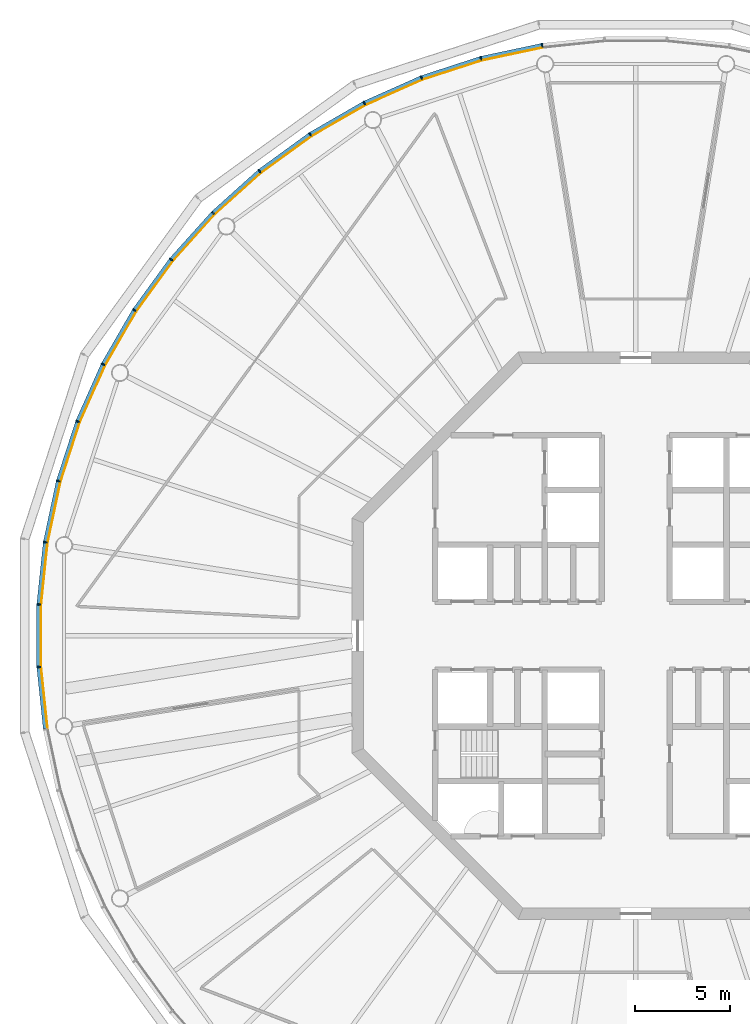
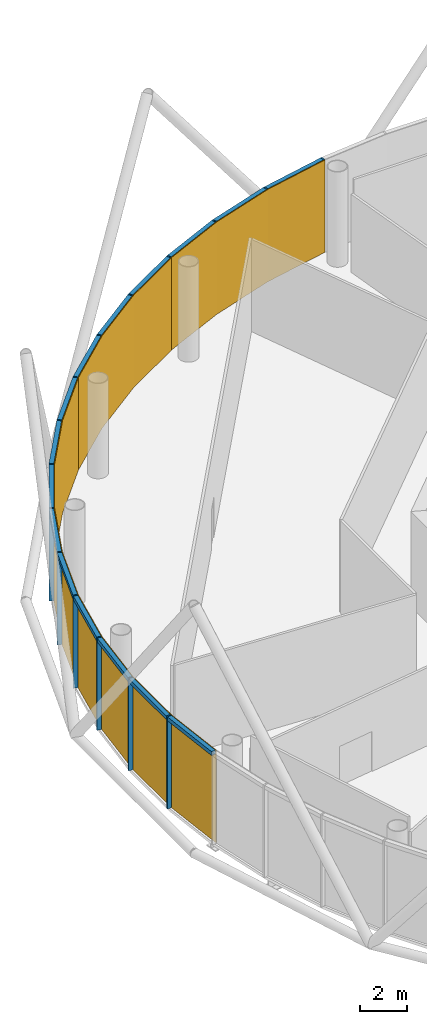
# One storey, part 10 of 13: 30 members, 5 curtain walls.
"""IFC4 building model written with IfcOpenShell, lengths in metres."""

from ifc_helpers import new_model, si_unit, direction, frame, origin, origin_2d, place, context, subcontext, project, spatial, polyline, rectangle, outline, extrude, material, layer, layer_set, material_profile, profile_set, type_object, element, aggregate, save


model = new_model("IFC4")

# Units and contexts
model_context = context("Model", 3, precision=1e-05, world=origin(), true_north=direction((0.0, 1.0)))
body_context = subcontext(model_context, "Body", "Model", "MODEL_VIEW")
ifc_project = project(units=[si_unit("LENGTHUNIT", "METRE"), si_unit("AREAUNIT", "SQUARE_METRE"), si_unit("VOLUMEUNIT", "CUBIC_METRE"), si_unit("PLANEANGLEUNIT", "RADIAN"), si_unit("MASSUNIT", "GRAM", prefix="KILO")], contexts=[model_context])

# Member
ifc_material_1 = material(Name="Anodised aluminium", Category="aluminium")
ifc_material_profile_1 = material_profile(ifc_material_1, rectangle(XDim=0.070068359375, YDim=0.2099609375, at=origin_2d()), Name="Mullion 70 x 210 mm anodised aluminium")
ifc_profile_set_1 = profile_set([ifc_material_profile_1], Name="Anodised aluminium")
member_type_1 = type_object("IfcMemberType", Name="Mullion 70 x 210 mm anodised aluminium", PredefinedType="MULLION", material=ifc_profile_set_1)
site_placement = place(None, origin())
building_placement = place(site_placement, origin())
storey_placement = place(building_placement, frame((0.0, 0.0, 402.0)))
member_1_placement = place(storey_placement, frame((85.055908203125, 111.2158203125, 0.0), z_axis=(0.0, 0.0, 1.0), x_axis=(-0.987688340595, -0.15643446504, 0.0)))
member_1 = element("IfcMember", 1, at=member_1_placement, type_object=member_type_1, Name="MULLION L92-15", PredefinedType="MULLION", context=body_context, shape_type="SweptSolid", body=[
    extrude(rectangle(XDim=0.070068359375, YDim=0.2099609375, at=origin_2d()), origin(), (0.0, 0.0, 1.0), 4.85009765625),
])

member_2_placement = place(storey_placement, frame((81.820068359375, 110.528076171875, 0.0), z_axis=(0.0, 0.0, 1.0), x_axis=(-0.965925826289, -0.258819045103, 0.0)))
member_2 = element("IfcMember", 2, at=member_2_placement, type_object=member_type_1, Name="MULLION L92-16", PredefinedType="MULLION", context=body_context, shape_type="SweptSolid", body=[
    extrude(rectangle(XDim=0.070068359375, YDim=0.2099609375, at=origin_2d()), origin(), (0.0, 0.0, 1.0), 4.85009765625),
])

member_3_placement = place(storey_placement, frame((78.673828125, 109.505859375, 0.0), z_axis=(0.0, 0.0, 1.0), x_axis=(-0.933580426497, -0.358367949545, 0.0)))
member_3 = element("IfcMember", 3, at=member_3_placement, type_object=member_type_1, Name="MULLION L92-17", PredefinedType="MULLION", context=body_context, shape_type="SweptSolid", body=[
    extrude(rectangle(XDim=0.070068359375, YDim=0.2099609375, at=origin_2d()), origin(), (0.0, 0.0, 1.0), 4.85009765625),
])

member_4_placement = place(storey_placement, frame((75.651611328125, 108.16015625, 0.0), z_axis=(0.0, 0.0, 1.0), x_axis=(-0.891006524188, -0.45399049974, 0.0)))
member_4 = element("IfcMember", 4, at=member_4_placement, type_object=member_type_1, Name="MULLION L92-18", PredefinedType="MULLION", context=body_context, shape_type="SweptSolid", body=[
    extrude(rectangle(XDim=0.070068359375, YDim=0.2099609375, at=origin_2d()), origin(), (0.0, 0.0, 1.0), 4.85009765625),
])

member_5_placement = place(storey_placement, frame((72.78662109375, 106.506103515625, 0.0), z_axis=(0.0, 0.0, 1.0), x_axis=(-0.838670567945, -0.544639035015, 0.0)))
member_5 = element("IfcMember", 5, at=member_5_placement, type_object=member_type_1, Name="MULLION L92-19", PredefinedType="MULLION", context=body_context, shape_type="SweptSolid", body=[
    extrude(rectangle(XDim=0.070068359375, YDim=0.2099609375, at=origin_2d()), origin(), (0.0, 0.0, 1.0), 4.85009765625),
])

member_6_placement = place(storey_placement, frame((70.1103515625, 104.561767578125, 0.0), z_axis=(0.0, 0.0, 1.0), x_axis=(-0.777145961457, -0.62932039105, 0.0)))
member_6 = element("IfcMember", 6, at=member_6_placement, type_object=member_type_1, Name="MULLION L92-20", PredefinedType="MULLION", context=body_context, shape_type="SweptSolid", body=[
    extrude(rectangle(XDim=0.070068359375, YDim=0.2099609375, at=origin_2d()), origin(), (0.0, 0.0, 1.0), 4.85009765625),
])

member_7_placement = place(storey_placement, frame((67.65185546875, 102.34814453125, 0.0), z_axis=(0.0, 0.0, 1.0), x_axis=(-0.707106781187, -0.707106781187, 0.0)))
member_7 = element("IfcMember", 7, at=member_7_placement, type_object=member_type_1, Name="MULLION L92-21", PredefinedType="MULLION", context=body_context, shape_type="SweptSolid", body=[
    extrude(rectangle(XDim=0.070068359375, YDim=0.2099609375, at=origin_2d()), origin(), (0.0, 0.0, 1.0), 4.85009765625),
])

member_8_placement = place(storey_placement, frame((65.438232421875, 99.8896484375, 0.0), z_axis=(0.0, 0.0, 1.0), x_axis=(-0.62932039105, -0.777145961457, 0.0)))
member_8 = element("IfcMember", 8, at=member_8_placement, type_object=member_type_1, Name="MULLION L92-22", PredefinedType="MULLION", context=body_context, shape_type="SweptSolid", body=[
    extrude(rectangle(XDim=0.070068359375, YDim=0.2099609375, at=origin_2d()), origin(), (0.0, 0.0, 1.0), 4.85009765625),
])

member_9_placement = place(storey_placement, frame((63.493896484375, 97.21337890625, 0.0), z_axis=(0.0, 0.0, 1.0), x_axis=(-0.544639035015, -0.838670567945, 0.0)))
member_9 = element("IfcMember", 9, at=member_9_placement, type_object=member_type_1, Name="MULLION L92-23", PredefinedType="MULLION", context=body_context, shape_type="SweptSolid", body=[
    extrude(rectangle(XDim=0.070068359375, YDim=0.2099609375, at=origin_2d()), origin(), (0.0, 0.0, 1.0), 4.85009765625),
])

member_10_placement = place(storey_placement, frame((61.83984375, 94.348388671875, 0.0), z_axis=(0.0, 0.0, 1.0), x_axis=(-0.45399049974, -0.891006524188, 0.0)))
member_10 = element("IfcMember", 10, at=member_10_placement, type_object=member_type_1, Name="MULLION L92-24", PredefinedType="MULLION", context=body_context, shape_type="SweptSolid", body=[
    extrude(rectangle(XDim=0.070068359375, YDim=0.2099609375, at=origin_2d()), origin(), (0.0, 0.0, 1.0), 4.85009765625),
])

member_11_placement = place(storey_placement, frame((60.494140625, 91.326171875, 0.0), z_axis=(0.0, 0.0, 1.0), x_axis=(-0.358367949545, -0.933580426497, 0.0)))
member_11 = element("IfcMember", 11, at=member_11_placement, type_object=member_type_1, Name="MULLION L92-25", PredefinedType="MULLION", context=body_context, shape_type="SweptSolid", body=[
    extrude(rectangle(XDim=0.070068359375, YDim=0.2099609375, at=origin_2d()), origin(), (0.0, 0.0, 1.0), 4.85009765625),
])

member_12_placement = place(storey_placement, frame((59.471923828125, 88.179931640625, 0.0), z_axis=(0.0, 0.0, 1.0), x_axis=(-0.258819045103, -0.965925826289, 0.0)))
member_12 = element("IfcMember", 12, at=member_12_placement, type_object=member_type_1, Name="MULLION L92-26", PredefinedType="MULLION", context=body_context, shape_type="SweptSolid", body=[
    extrude(rectangle(XDim=0.070068359375, YDim=0.2099609375, at=origin_2d()), origin(), (0.0, 0.0, 1.0), 4.85009765625),
])

member_13_placement = place(storey_placement, frame((58.7841796875, 84.944091796875, 0.0), z_axis=(0.0, 0.0, 1.0), x_axis=(-0.15643446504, -0.987688340595, 0.0)))
member_13 = element("IfcMember", 13, at=member_13_placement, type_object=member_type_1, Name="MULLION L92-27", PredefinedType="MULLION", context=body_context, shape_type="SweptSolid", body=[
    extrude(rectangle(XDim=0.070068359375, YDim=0.2099609375, at=origin_2d()), origin(), (0.0, 0.0, 1.0), 4.85009765625),
])

member_14_placement = place(storey_placement, frame((58.438232421875, 81.654052734375, 0.0), z_axis=(0.0, 0.0, 1.0), x_axis=(-0.052335956243, -0.998629534755, 0.0)))
member_14 = element("IfcMember", 14, at=member_14_placement, type_object=member_type_1, Name="MULLION L92-28", PredefinedType="MULLION", context=body_context, shape_type="SweptSolid", body=[
    extrude(rectangle(XDim=0.070068359375, YDim=0.2099609375, at=origin_2d()), origin(), (0.0, 0.0, 1.0), 4.85009765625),
])

member_15_placement = place(storey_placement, frame((58.438232421875, 78.345947265625, 0.0), z_axis=(0.0, 0.0, 1.0), x_axis=(0.052335956243, -0.998629534755, 0.0)))
member_15 = element("IfcMember", 15, at=member_15_placement, type_object=member_type_1, Name="MULLION L92-29", PredefinedType="MULLION", context=body_context, shape_type="SweptSolid", body=[
    extrude(rectangle(XDim=0.070068359375, YDim=0.2099609375, at=origin_2d()), origin(), (0.0, 0.0, 1.0), 4.85009765625),
])

ifc_material_2 = material(Name="Anodised aluminium", Category="aluminium")
ifc_material_profile_2 = material_profile(ifc_material_2, rectangle(XDim=0.2099609375, YDim=0.199951171875, at=origin_2d()), Name="Transom 200 x 210 mm anodised aluminium")
ifc_profile_set_2 = profile_set([ifc_material_profile_2], Name="Anodised aluminium")
member_type_2 = type_object("IfcMemberType", Name="Transom 200 x 210 mm anodised aluminium", PredefinedType="USERDEFINED", material=ifc_profile_set_2)
member_16_placement = place(storey_placement, frame((85.016357421875, 111.20751953125, 4.75), z_axis=(-0.978153082647, -0.207885898771, 0.0), x_axis=(0.207885898771, -0.978153082647, 0.0)))
member_16 = element("IfcMember", 16, at=member_16_placement, type_object=member_type_2, Name="TRANSOM L92-15", ObjectType="TRANSOM", PredefinedType="USERDEFINED", context=body_context, shape_type="SweptSolid", body=[
    extrude(rectangle(XDim=0.2099609375, YDim=0.199951171875, at=origin_2d()), origin(), (0.0, 0.0, 1.0), 3.227294921875),
])

member_17_placement = place(storey_placement, frame((81.781494140625, 110.515625, 4.75), z_axis=(-0.951076311148, -0.308956065441, 0.0), x_axis=(0.308956065441, -0.951076311148, 0.0)))
member_17 = element("IfcMember", 17, at=member_17_placement, type_object=member_type_2, Name="TRANSOM L92-16", ObjectType="TRANSOM", PredefinedType="USERDEFINED", context=body_context, shape_type="SweptSolid", body=[
    extrude(rectangle(XDim=0.2099609375, YDim=0.199951171875, at=origin_2d()), origin(), (0.0, 0.0, 1.0), 3.227294921875),
])

member_18_placement = place(storey_placement, frame((78.63671875, 109.489501953125, 4.75), z_axis=(-0.913533696574, -0.40676305784, 0.0), x_axis=(0.40676305784, -0.913533696574, 0.0)))
member_18 = element("IfcMember", 18, at=member_18_placement, type_object=member_type_2, Name="TRANSOM L92-17", ObjectType="TRANSOM", PredefinedType="USERDEFINED", context=body_context, shape_type="SweptSolid", body=[
    extrude(rectangle(XDim=0.2099609375, YDim=0.199951171875, at=origin_2d()), origin(), (0.0, 0.0, 1.0), 3.227294921875),
])

member_19_placement = place(storey_placement, frame((75.616455078125, 108.14013671875, 4.75), z_axis=(-0.866023062494, -0.500004055213, 0.0), x_axis=(0.500004055213, -0.866023062494, 0.0)))
member_19 = element("IfcMember", 19, at=member_19_placement, type_object=member_type_2, Name="TRANSOM L92-18", ObjectType="TRANSOM", PredefinedType="USERDEFINED", context=body_context, shape_type="SweptSolid", body=[
    extrude(rectangle(XDim=0.2099609375, YDim=0.199951171875, at=origin_2d()), origin(), (0.0, 0.0, 1.0), 3.22705078125),
])

member_20_placement = place(storey_placement, frame((72.75390625, 106.482421875, 4.75), z_axis=(-0.809040226492, -0.587753274698, 0.0), x_axis=(0.587753274698, -0.809040226492, 0.0)))
member_20 = element("IfcMember", 20, at=member_20_placement, type_object=member_type_2, Name="TRANSOM L92-19", ObjectType="TRANSOM", PredefinedType="USERDEFINED", context=body_context, shape_type="SweptSolid", body=[
    extrude(rectangle(XDim=0.2099609375, YDim=0.199951171875, at=origin_2d()), origin(), (0.0, 0.0, 1.0), 3.22705078125),
])

member_21_placement = place(storey_placement, frame((70.080078125, 104.53466796875, 4.75), z_axis=(-0.743132370743, -0.669144438484, 0.0), x_axis=(0.669144438484, -0.743132370743, 0.0)))
member_21 = element("IfcMember", 21, at=member_21_placement, type_object=member_type_2, Name="TRANSOM L92-20", ObjectType="TRANSOM", PredefinedType="USERDEFINED", context=body_context, shape_type="SweptSolid", body=[
    extrude(rectangle(XDim=0.2099609375, YDim=0.199951171875, at=origin_2d()), origin(), (0.0, 0.0, 1.0), 3.22705078125),
])

member_22_placement = place(storey_placement, frame((67.624755859375, 102.318115234375, 4.75), z_axis=(-0.669144438484, -0.743132370743, 0.0), x_axis=(0.743132370743, -0.669144438484, 0.0)))
member_22 = element("IfcMember", 22, at=member_22_placement, type_object=member_type_2, Name="TRANSOM L92-21", ObjectType="TRANSOM", PredefinedType="USERDEFINED", context=body_context, shape_type="SweptSolid", body=[
    extrude(rectangle(XDim=0.2099609375, YDim=0.199951171875, at=origin_2d()), origin(), (0.0, 0.0, 1.0), 3.22705078125),
])

member_23_placement = place(storey_placement, frame((65.414306640625, 99.85693359375, 4.75), z_axis=(-0.587753274698, -0.809040226492, 0.0), x_axis=(0.809040226492, -0.587753274698, 0.0)))
member_23 = element("IfcMember", 23, at=member_23_placement, type_object=member_type_2, Name="TRANSOM L92-22", ObjectType="TRANSOM", PredefinedType="USERDEFINED", context=body_context, shape_type="SweptSolid", body=[
    extrude(rectangle(XDim=0.2099609375, YDim=0.199951171875, at=origin_2d()), origin(), (0.0, 0.0, 1.0), 3.22705078125),
])

member_24_placement = place(storey_placement, frame((63.473388671875, 97.17822265625, 4.75), z_axis=(-0.500004055213, -0.866023062494, 0.0), x_axis=(0.866023062494, -0.500004055213, 0.0)))
member_24 = element("IfcMember", 24, at=member_24_placement, type_object=member_type_2, Name="TRANSOM L92-23", ObjectType="TRANSOM", PredefinedType="USERDEFINED", context=body_context, shape_type="SweptSolid", body=[
    extrude(rectangle(XDim=0.2099609375, YDim=0.199951171875, at=origin_2d()), origin(), (0.0, 0.0, 1.0), 3.22705078125),
])

member_25_placement = place(storey_placement, frame((61.8232421875, 94.3115234375, 4.75), z_axis=(-0.40676305784, -0.913533696574, 0.0), x_axis=(0.913533696574, -0.40676305784, 0.0)))
member_25 = element("IfcMember", 25, at=member_25_placement, type_object=member_type_2, Name="TRANSOM L92-24", ObjectType="TRANSOM", PredefinedType="USERDEFINED", context=body_context, shape_type="SweptSolid", body=[
    extrude(rectangle(XDim=0.2099609375, YDim=0.199951171875, at=origin_2d()), origin(), (0.0, 0.0, 1.0), 3.227294921875),
])

member_26_placement = place(storey_placement, frame((60.4814453125, 91.287841796875, 4.75), z_axis=(-0.308956065441, -0.951076311148, 0.0), x_axis=(0.951076311148, -0.308956065441, 0.0)))
member_26 = element("IfcMember", 26, at=member_26_placement, type_object=member_type_2, Name="TRANSOM L92-25", ObjectType="TRANSOM", PredefinedType="USERDEFINED", context=body_context, shape_type="SweptSolid", body=[
    extrude(rectangle(XDim=0.2099609375, YDim=0.199951171875, at=origin_2d()), origin(), (0.0, 0.0, 1.0), 3.227294921875),
])

member_27_placement = place(storey_placement, frame((59.46337890625, 88.140380859375, 4.75), z_axis=(-0.207885898771, -0.978153082647, 0.0), x_axis=(0.978153082647, -0.207885898771, 0.0)))
member_27 = element("IfcMember", 27, at=member_27_placement, type_object=member_type_2, Name="TRANSOM L92-26", ObjectType="TRANSOM", PredefinedType="USERDEFINED", context=body_context, shape_type="SweptSolid", body=[
    extrude(rectangle(XDim=0.2099609375, YDim=0.199951171875, at=origin_2d()), origin(), (0.0, 0.0, 1.0), 3.227294921875),
])

member_28_placement = place(storey_placement, frame((58.77978515625, 84.90380859375, 4.75), z_axis=(-0.104550890115, -0.994519537956, 0.0), x_axis=(0.994519537956, -0.104550890115, 0.0)))
member_28 = element("IfcMember", 28, at=member_28_placement, type_object=member_type_2, Name="TRANSOM L92-27", ObjectType="TRANSOM", PredefinedType="USERDEFINED", context=body_context, shape_type="SweptSolid", body=[
    extrude(rectangle(XDim=0.2099609375, YDim=0.199951171875, at=origin_2d()), origin(), (0.0, 0.0, 1.0), 3.22705078125),
])

member_29_placement = place(storey_placement, frame((58.438232421875, 81.613525390625, 4.75), z_axis=(0.0, -1.0, 0.0), x_axis=(1.0, 0.0, 0.0)))
member_29 = element("IfcMember", 29, at=member_29_placement, type_object=member_type_2, Name="TRANSOM L92-28", ObjectType="TRANSOM", PredefinedType="USERDEFINED", context=body_context, shape_type="SweptSolid", body=[
    extrude(rectangle(XDim=0.2099609375, YDim=0.199951171875, at=origin_2d()), origin(), (0.0, 0.0, 1.0), 3.22705078125),
])

member_30_placement = place(storey_placement, frame((58.4423828125, 78.3056640625, 4.75), z_axis=(0.104550890115, -0.994519537956, 0.0), x_axis=(0.994519537956, 0.104550890115, 0.0)))
member_30 = element("IfcMember", 30, at=member_30_placement, type_object=member_type_2, Name="TRANSOM L92-29", ObjectType="TRANSOM", PredefinedType="USERDEFINED", context=body_context, shape_type="SweptSolid", body=[
    extrude(rectangle(XDim=0.2099609375, YDim=0.199951171875, at=origin_2d()), origin(), (0.0, 0.0, 1.0), 3.22705078125),
])

# Site, building, storey
site = spatial("IfcSite", under=ifc_project, at=site_placement, CompositionType="ELEMENT")
building = spatial("IfcBuilding", under=site, at=building_placement, Name="Entoto Ring Tower", CompositionType="ELEMENT")
storey = spatial("IfcBuildingStorey", under=building, at=storey_placement, Name="L92", CompositionType="ELEMENT", Elevation=402.0)

# Curtain wall
ifc_material_3 = material(Name="Clear low-iron glass", Category="glass")
ifc_layer = layer(ifc_material_3, 0.0380859375)
ifc_layer_set = layer_set([ifc_layer], Name="Clear low-iron glass")
curtain_wall_type = type_object("IfcCurtainWallType", Name="Curtain wall system CW10 glazing 38 mm", PredefinedType="NOTDEFINED", material=ifc_layer_set)
curtain_wall_1_placement = place(storey_placement, origin())
curtain_wall_1 = element("IfcCurtainWall", 31, at=curtain_wall_1_placement, inside=storey, type_object=curtain_wall_type, Name="CW10 L92-06", PredefinedType="NOTDEFINED", context=body_context, shape_type="SweptSolid", body=[
    extrude(outline(polyline([(85.072265625, 111.1123046875), (81.84716796875, 110.4267578125), (78.71142578125, 109.40771484375), (75.69921875, 108.066650390625), (75.716552734375, 108.03271484375), (78.72509765625, 109.372314453125), (81.85693359375, 110.389892578125), (85.078369140625, 111.07470703125), (85.072265625, 111.1123046875)])), origin(), (0.0, 0.0, 1.0), 4.85009765625),
])

aggregate(curtain_wall_1, [member_1, member_2, member_3, member_16, member_17, member_18])

curtain_wall_2_placement = place(storey_placement, origin())
curtain_wall_2 = element("IfcCurtainWall", 32, at=curtain_wall_2_placement, inside=storey, type_object=curtain_wall_type, Name="CW10 L92-07", PredefinedType="NOTDEFINED", context=body_context, shape_type="SweptSolid", body=[
    extrude(outline(polyline([(75.69921875, 108.066650390625), (72.84375, 106.418212890625), (70.176513671875, 104.47998046875), (67.72607421875, 102.27392578125), (67.7529296875, 102.2470703125), (70.200439453125, 104.450439453125), (72.864501953125, 106.38623046875), (75.716552734375, 108.03271484375), (75.69921875, 108.066650390625)])), origin(), (0.0, 0.0, 1.0), 4.85009765625),
])

aggregate(curtain_wall_2, [member_4, member_5, member_6, member_19, member_20, member_21])

curtain_wall_3_placement = place(storey_placement, origin())
curtain_wall_3 = element("IfcCurtainWall", 33, at=curtain_wall_3_placement, inside=storey, type_object=curtain_wall_type, Name="CW10 L92-08", PredefinedType="NOTDEFINED", context=body_context, shape_type="SweptSolid", body=[
    extrude(outline(polyline([(67.72607421875, 102.27392578125), (65.52001953125, 99.823486328125), (63.581787109375, 97.15625), (61.933349609375, 94.30078125), (61.96728515625, 94.283447265625), (63.61376953125, 97.135498046875), (65.549560546875, 99.799560546875), (67.7529296875, 102.2470703125), (67.72607421875, 102.27392578125)])), origin(), (0.0, 0.0, 1.0), 4.85009765625),
])

aggregate(curtain_wall_3, [member_7, member_8, member_9, member_22, member_23, member_24])

curtain_wall_4_placement = place(storey_placement, origin())
curtain_wall_4 = element("IfcCurtainWall", 34, at=curtain_wall_4_placement, inside=storey, type_object=curtain_wall_type, Name="CW10 L92-09", PredefinedType="NOTDEFINED", context=body_context, shape_type="SweptSolid", body=[
    extrude(outline(polyline([(61.933349609375, 94.30078125), (60.59228515625, 91.28857421875), (59.5732421875, 88.15283203125), (58.8876953125, 84.927734375), (58.92529296875, 84.921630859375), (59.610107421875, 88.14306640625), (60.627685546875, 91.27490234375), (61.96728515625, 94.283447265625), (61.933349609375, 94.30078125)])), origin(), (0.0, 0.0, 1.0), 4.85009765625),
])

aggregate(curtain_wall_4, [member_10, member_11, member_12, member_25, member_26, member_27])

curtain_wall_5_placement = place(storey_placement, origin())
curtain_wall_5 = element("IfcCurtainWall", 35, at=curtain_wall_5_placement, inside=storey, type_object=curtain_wall_type, Name="CW10 L92-10", PredefinedType="NOTDEFINED", context=body_context, shape_type="SweptSolid", body=[
    extrude(outline(polyline([(58.8876953125, 84.927734375), (58.543212890625, 81.648681640625), (58.543212890625, 78.351318359375), (58.8876953125, 75.072265625), (58.92529296875, 75.078369140625), (58.5810546875, 78.353515625), (58.5810546875, 81.646484375), (58.92529296875, 84.921630859375), (58.8876953125, 84.927734375)])), origin(), (0.0, 0.0, 1.0), 4.85009765625),
])

aggregate(curtain_wall_5, [member_13, member_14, member_15, member_28, member_29, member_30])

save(model, "model.ifc")
